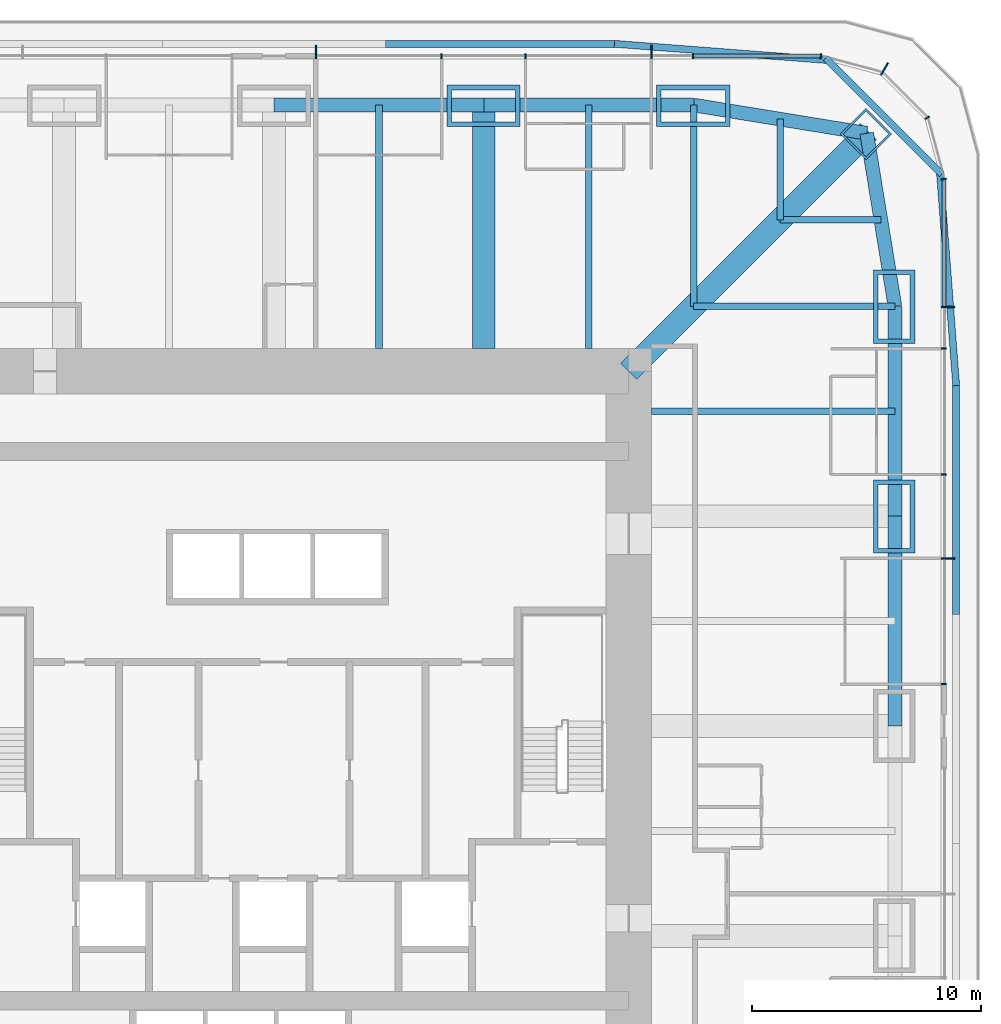
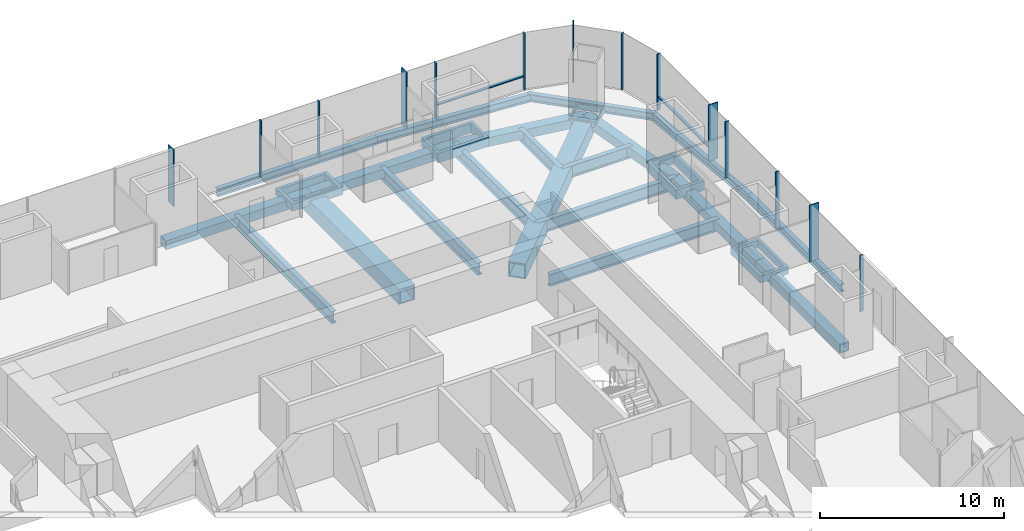
# One storey, part 8 of 16: 29 members, 12 beams, 3 elements without a shape of their own.
"""IFC4 building model written with IfcOpenShell, lengths in metres."""

import ifcopenshell
import ifcopenshell.guid

model = None  # the IFC model being written
_history = None  # IfcOwnerHistory: only IFC2X3 demands one
_inside = {}  # id of a spatial element -> (the spatial element, [elements in it])
_under = {}  # id of a project, library or spatial element -> (it, [spatial elements below it])
_declared = {}  # id of a project -> (the project, [libraries it declares])
_typed = {}  # id of a type object -> (the type object, [elements of that type])
_made_of = {}  # id of a material, layer set ... -> (it, [elements and type objects made of it])


def new_model(schema):
    """Start an empty IFC model of exactly this schema.

    Asked for "IFC4X3", IfcOpenShell would pick the latest addendum, in which some entities
    have other attributes; the version numbers below select the first issue.
    IFC2X3 requires an IfcOwnerHistory on every rooted entity: one is made here for all.
    """
    global model, _history
    if schema == "IFC4X3":
        model = ifcopenshell.file(schema_version=(4, 3, 0, 0))
    else:
        model = ifcopenshell.file(schema=schema)
    _inside.clear()
    _under.clear()
    _declared.clear()
    _typed.clear()
    _made_of.clear()
    _history = None
    if model.schema == "IFC2X3":
        org = make("IfcOrganization", Name="unknown")
        user = make(
            "IfcPersonAndOrganization",
            ThePerson=make("IfcPerson", FamilyName="unknown"),
            TheOrganization=org,
        )
        app = make(
            "IfcApplication",
            ApplicationDeveloper=org,
            Version="unknown",
            ApplicationFullName="unknown",
            ApplicationIdentifier="unknown",
        )
        _history = make(
            "IfcOwnerHistory",
            OwningUser=user,
            OwningApplication=app,
            ChangeAction="ADDED",
            CreationDate=0,
        )
    return model


def make(cls, **values):
    """One entity of the class cls with the attributes given. An attribute that is None is left unset."""
    return model.create_entity(
        cls, **{name: value for name, value in values.items() if value is not None}
    )


def rooted(cls, **values):
    """An entity with a GlobalId (a new one), such as an element, a storey or a relation."""
    return make(cls, GlobalId=ifcopenshell.guid.new(), OwnerHistory=_history, **values)


def si_unit(unit_type, name, prefix=None):
    """IfcSIUnit, for example si_unit("LENGTHUNIT", "METRE", prefix="MILLI")."""
    return make("IfcSIUnit", UnitType=unit_type, Prefix=prefix, Name=name)


def assignment(units):
    """IfcUnitAssignment: the units of a project."""
    return None if units is None else make("IfcUnitAssignment", Units=units)


def point(xyz):
    """IfcCartesianPoint."""
    return None if xyz is None else make("IfcCartesianPoint", Coordinates=xyz)


def direction(xyz):
    """IfcDirection."""
    return None if xyz is None else make("IfcDirection", DirectionRatios=xyz)


def frame(location, z_axis=None, x_axis=None):
    """IfcAxis2Placement3D, a coordinate frame: its origin and axes. An axis left out is left unset."""
    return make(
        "IfcAxis2Placement3D",
        Location=point(location),
        Axis=direction(z_axis),
        RefDirection=direction(x_axis),
    )


def frame_2d(location, x_axis=None):
    """IfcAxis2Placement2D, a coordinate frame in the plane: its origin and x axis."""
    return make(
        "IfcAxis2Placement2D", Location=point(location), RefDirection=direction(x_axis)
    )


def origin():
    """The frame at (0, 0, 0) with its axes left unset."""
    return frame((0.0, 0.0, 0.0))


def origin_2d():
    """The frame at (0, 0) in the plane with its x axis left unset."""
    return frame_2d((0.0, 0.0))


def place(relative_to, where):
    """IfcLocalPlacement: puts the frame where relative to a parent placement (None: the world)."""
    return make(
        "IfcLocalPlacement", PlacementRelTo=relative_to, RelativePlacement=where
    )


def context(
    kind, dimensions, precision=None, world=None, true_north=None, identifier=None
):
    """IfcGeometricRepresentationContext, for example the 3D "Model" context."""
    return make(
        "IfcGeometricRepresentationContext",
        ContextIdentifier=identifier,
        ContextType=kind,
        CoordinateSpaceDimension=dimensions,
        Precision=precision,
        WorldCoordinateSystem=world,
        TrueNorth=true_north,
    )


def subcontext(parent, identifier, kind, view, scale=None):
    """IfcGeometricRepresentationSubContext, for example "Body" below "Model"."""
    return make(
        "IfcGeometricRepresentationSubContext",
        ContextIdentifier=identifier,
        ContextType=kind,
        ParentContext=parent,
        TargetScale=scale,
        TargetView=view,
    )


def project(units=None, contexts=None):
    """IfcProject with its units and contexts."""
    return rooted(
        "IfcProject",
        Name="project",
        RepresentationContexts=contexts,
        UnitsInContext=assignment(units),
    )


def spatial(cls, under=None, at=None, **own):
    """A site, building, storey or space (cls), placed at a placement, below another one or the project."""
    s = rooted(cls, ObjectPlacement=at, **own)
    if under is not None:
        _under.setdefault(under.id(), (under, []))[1].append(s)
    return s


def profile(cls, at=None, kind="AREA", **sizes):
    """A parametric profile (cls). Its sizes go by their IFC names, for example OverallWidth=200.0."""
    return make(cls, ProfileType=kind, Position=at, **sizes)


def rectangle(**sizes):
    """IfcRectangleProfileDef."""
    return profile("IfcRectangleProfileDef", **sizes)


def hollow_rectangle(**sizes):
    """IfcRectangleHollowProfileDef."""
    return profile("IfcRectangleHollowProfileDef", **sizes)


def i_section(**sizes):
    """IfcIShapeProfileDef."""
    return profile("IfcIShapeProfileDef", **sizes)


def extrude(swept, where, along, depth):
    """IfcExtrudedAreaSolid: the profile swept, set in the frame where, extruded along a direction by depth."""
    return make(
        "IfcExtrudedAreaSolid",
        SweptArea=swept,
        Position=where,
        ExtrudedDirection=direction(along),
        Depth=depth,
    )


def shape(context_of_items, identifier, shape_type, items):
    """IfcShapeRepresentation: the items that make up one representation, for example the "Body"."""
    return make(
        "IfcShapeRepresentation",
        ContextOfItems=context_of_items,
        RepresentationIdentifier=identifier,
        RepresentationType=shape_type,
        Items=items,
    )


def material(Name=None, Category=None):
    """IfcMaterial."""
    return make("IfcMaterial", Name=Name, Category=Category)


def material_profile(
    of_material, cross_section, Name=None, Category=None, Priority=None
):
    """IfcMaterialProfile: a cross section and its material."""
    return make(
        "IfcMaterialProfile",
        Name=Name,
        Material=of_material,
        Profile=cross_section,
        Priority=Priority,
        Category=Category,
    )


def profile_set(profiles, Name=None, composite=None):
    """IfcMaterialProfileSet."""
    return make(
        "IfcMaterialProfileSet",
        Name=Name,
        MaterialProfiles=profiles,
        CompositeProfile=composite,
    )


def made_of(thing, what):
    """Note that an element or type object is made of a material, layer set ...; save() writes the relation."""
    if what is not None:
        _made_of.setdefault(what.id(), (what, []))[1].append(thing)
    return thing


def type_object(cls, material=None, **own):
    """A type object (cls), such as IfcWallType, which elements share."""
    return made_of(rooted(cls, **own), material)


def element(
    cls,
    number,
    at=None,
    inside=None,
    cuts=None,
    type_object=None,
    material=None,
    context=None,
    identifier="Body",
    shape_type=None,
    held_by="IfcProductDefinitionShape",
    body=None,
    shapes=None,
    **own,
):
    """One element of the class cls, such as IfcWall. Its Tag is "e" and its number.

    at: its placement. inside: the storey or other place that contains it. cuts: it is an
    opening in that element (IfcRelVoidsElement). A single representation is given by context,
    identifier, shape_type and body (its items); several are given by shapes. held_by: the class
    of the entity that holds the representations. save() writes the other relations.
    """
    e = rooted(cls, Tag="e%d" % number, ObjectPlacement=at, **own)
    if body is not None:
        shapes = [shape(context, identifier, shape_type, body)]
    if shapes is not None:
        e.Representation = make(held_by, Representations=shapes)
    if inside is not None:
        _inside.setdefault(inside.id(), (inside, []))[1].append(e)
    if cuts is not None:
        rooted(
            "IfcRelVoidsElement", RelatingBuildingElement=cuts, RelatedOpeningElement=e
        )
    if type_object is not None:
        _typed.setdefault(type_object.id(), (type_object, []))[1].append(e)
    return made_of(e, material)


def aggregate(whole, parts):
    """IfcRelAggregates: a whole, such as a stair, and the parts it consists of."""
    return rooted("IfcRelAggregates", RelatingObject=whole, RelatedObjects=parts)


def save(model, path):
    """Write the relations noted so far, then the file.

    IfcRelAggregates (storeys below a building ...), IfcRelContainedInSpatialStructure (elements
    in a storey), IfcRelDefinesByType, IfcRelAssociatesMaterial and IfcRelDeclares: one each for
    every whole, place, type object, material and project.
    """
    for whole, parts in _under.values():
        aggregate(whole, parts)
    for where, things in _inside.values():
        rooted(
            "IfcRelContainedInSpatialStructure",
            RelatedElements=things,
            RelatingStructure=where,
        )
    for kind, things in _typed.values():
        rooted("IfcRelDefinesByType", RelatedObjects=things, RelatingType=kind)
    for what, things in _made_of.values():
        rooted("IfcRelAssociatesMaterial", RelatedObjects=things, RelatingMaterial=what)
    for by, libraries in _declared.values():
        rooted("IfcRelDeclares", RelatingContext=by, RelatedDefinitions=libraries)
    model.write(path)


model = new_model("IFC4")

# Units and contexts
model_context = context("Model", 3, precision=1e-05, world=origin(), true_north=direction((0.0, 1.0)))
body_context = subcontext(model_context, "Body", "Model", "MODEL_VIEW")
ifc_project = project(units=[si_unit("LENGTHUNIT", "METRE"), si_unit("AREAUNIT", "SQUARE_METRE"), si_unit("VOLUMEUNIT", "CUBIC_METRE"), si_unit("PLANEANGLEUNIT", "RADIAN"), si_unit("MASSUNIT", "GRAM", prefix="KILO")], contexts=[model_context])

# Site, building, storey
site_placement = place(None, origin())
site = spatial("IfcSite", under=ifc_project, at=site_placement, CompositionType="ELEMENT")
building_placement = place(site_placement, origin())
building = spatial("IfcBuilding", under=site, at=building_placement, Name="Khuree Lantern Residences", CompositionType="ELEMENT")
storey_placement = place(building_placement, frame((0.0, 0.0, 107.25)))
storey = spatial("IfcBuildingStorey", under=building, at=storey_placement, Name="L26", CompositionType="ELEMENT", Elevation=107.25)

# Beams
ifc_material_1 = material(Name="Steel S355", Category="steel")
ifc_material_profile_1 = material_profile(ifc_material_1, i_section(OverallWidth=0.300048828125, OverallDepth=0.7900390625, WebThickness=0.014892578125, FlangeThickness=0.028076171875, FilletRadius=0.030029296875, at=origin_2d()), Name="HE 800 A")
ifc_profile_set_1 = profile_set([ifc_material_profile_1], Name="Steel S355")
beam_type_1 = type_object("IfcBeamType", Name="B-21 SECONDARY BEAM HE 800 A", PredefinedType="BEAM", material=ifc_profile_set_1)
for number, where, z_axis, x_axis, name in (
    (1, (4.585205078125, 27.1337890625, -0.64501953125), (0.0, -1.0, 0.0), (1.0, 0.0, 0.0), "Secondary beam N3"),
    (2, (13.755859375, 27.1337890625, -0.64501953125), (0.0, -1.0, 0.0), (1.0, 0.0, 0.0), "Secondary beam N4"),
):
    element("IfcBeam", number, at=place(storey_placement, frame(where, z_axis=z_axis, x_axis=x_axis)), inside=storey, type_object=beam_type_1, Name=name, PredefinedType="BEAM", context=body_context, shape_type="SweptSolid", body=[
        extrude(i_section(OverallWidth=0.300048828125, OverallDepth=0.7900390625, WebThickness=0.014892578125, FlangeThickness=0.028076171875, FilletRadius=0.030029296875, at=origin_2d()), origin(), (0.0, 0.0, 1.0), 10.6337890625),
    ])
for number, where, z_axis, x_axis, name in (
    (3, (22.12109375, 26.517578125, -0.64501953125), (0.0, -1.0, 0.0), (1.0, 0.0, 0.0), "Secondary beam N5"),
    (4, (26.517578125, 22.12109375, -0.64501953125), (-1.0, 0.0, 0.0), (0.0, -1.0, 0.0), "Secondary beam E1"),
):
    element("IfcBeam", number, at=place(storey_placement, frame(where, z_axis=z_axis, x_axis=x_axis)), inside=storey, type_object=beam_type_1, Name=name, PredefinedType="BEAM", context=body_context, shape_type="SweptSolid", body=[
        extrude(i_section(OverallWidth=0.300048828125, OverallDepth=0.7900390625, WebThickness=0.014892578125, FlangeThickness=0.028076171875, FilletRadius=0.030029296875, at=origin_2d()), origin(), (0.0, 0.0, 1.0), 4.396484375),
    ])
beam_1_placement = place(storey_placement, frame((27.1337890625, 13.755859375, -0.64501953125), z_axis=(-1.0, 0.0, 0.0), x_axis=(0.0, -1.0, 0.0)))
element("IfcBeam", 5, at=beam_1_placement, inside=storey, type_object=beam_type_1, Name="Secondary beam E2", PredefinedType="BEAM", context=body_context, shape_type="SweptSolid", body=[
    extrude(i_section(OverallWidth=0.300048828125, OverallDepth=0.7900390625, WebThickness=0.014892578125, FlangeThickness=0.028076171875, FilletRadius=0.030029296875, at=origin_2d()), origin(), (0.0, 0.0, 1.0), 10.6337890625),
])

# Members
ifc_material_profile_2 = material_profile(ifc_material_1, hollow_rectangle(XDim=0.60009765625, YDim=0.60009765625, WallThickness=0.050048828125, at=origin_2d()), Name="WELDED BOX 600X600X50")
ifc_profile_set_2 = profile_set([ifc_material_profile_2], Name="Steel S355")
member_type_1 = type_object("IfcMemberType", Name="BT-26 BELT TRUSS CHORD WELDED BOX 600X600X50", PredefinedType="CHORD", material=ifc_profile_set_2)
member_1_placement = place(storey_placement, frame((0.0, 27.1337890625, -0.550048828125), z_axis=(1.0, 0.0, 0.0), x_axis=(0.0, 1.0, 0.0)))
element("IfcMember", 6, at=member_1_placement, inside=storey, type_object=member_type_1, Name="Belt truss chord N3", PredefinedType="CHORD", context=body_context, shape_type="SweptSolid", body=[
    extrude(hollow_rectangle(XDim=0.60009765625, YDim=0.60009765625, WallThickness=0.050048828125, at=origin_2d()), origin(), (0.0, 0.0, 1.0), 9.17041015625),
])
member_2_placement = place(storey_placement, frame((9.17041015625, 27.1337890625, -0.550048828125), z_axis=(1.0, 0.0, 0.0), x_axis=(0.0, 1.0, 0.0)))
element("IfcMember", 7, at=member_2_placement, inside=storey, type_object=member_type_1, Name="Belt truss chord N4", PredefinedType="CHORD", context=body_context, shape_type="SweptSolid", body=[
    extrude(hollow_rectangle(XDim=0.60009765625, YDim=0.60009765625, WallThickness=0.050048828125, at=origin_2d()), origin(), (0.0, 0.0, 1.0), 9.170654296875),
])
for number, where, z_axis, x_axis, name in (
    (8, (18.341064453125, 27.1337890625, -0.550048828125), (0.986972570881, -0.160888608448, 0.0), (0.160888608448, 0.986972570881, 0.0), "Belt truss chord N5"),
    (9, (25.9013671875, 25.9013671875, -0.550048828125), (0.160888608448, -0.986972570881, 0.0), (0.986972570881, 0.160888608448, 0.0), "Belt truss chord E1"),
):
    element("IfcMember", number, at=place(storey_placement, frame(where, z_axis=z_axis, x_axis=x_axis)), inside=storey, type_object=member_type_1, Name=name, PredefinedType="CHORD", context=body_context, shape_type="SweptSolid", body=[
        extrude(hollow_rectangle(XDim=0.60009765625, YDim=0.60009765625, WallThickness=0.050048828125, at=origin_2d()), origin(), (0.0, 0.0, 1.0), 7.66015625),
    ])
member_3_placement = place(storey_placement, frame((27.1337890625, 18.341064453125, -0.550048828125), z_axis=(0.0, -1.0, 0.0), x_axis=(1.0, 0.0, 0.0)))
element("IfcMember", 10, at=member_3_placement, inside=storey, type_object=member_type_1, Name="Belt truss chord E2", PredefinedType="CHORD", context=body_context, shape_type="SweptSolid", body=[
    extrude(hollow_rectangle(XDim=0.60009765625, YDim=0.60009765625, WallThickness=0.050048828125, at=origin_2d()), origin(), (0.0, 0.0, 1.0), 9.170654296875),
])
member_4_placement = place(storey_placement, frame((27.1337890625, 9.17041015625, -0.550048828125), z_axis=(0.0, -1.0, 0.0), x_axis=(1.0, 0.0, 0.0)))
element("IfcMember", 11, at=member_4_placement, inside=storey, type_object=member_type_1, Name="Belt truss chord E3", PredefinedType="CHORD", context=body_context, shape_type="SweptSolid", body=[
    extrude(hollow_rectangle(XDim=0.60009765625, YDim=0.60009765625, WallThickness=0.050048828125, at=origin_2d()), origin(), (0.0, 0.0, 1.0), 9.17041015625),
])

# Curtain wall, members
ifc_material_2 = material(Name="Bronze anodised aluminium", Category="aluminium")
curtain_wall_type_1 = type_object("IfcCurtainWallType", Name="CW-T1 TOWER FACE CURTAIN WALL", PredefinedType="USERDEFINED", material=ifc_material_2)
curtain_wall_1_placement = place(storey_placement, origin())
curtain_wall_1 = element("IfcCurtainWall", 12, at=curtain_wall_1_placement, inside=storey, type_object=curtain_wall_type_1, Name="L26 EAST FACE CURTAIN WALL", ObjectType="Stick-built curtain wall", PredefinedType="USERDEFINED")
ifc_material_profile_3 = material_profile(ifc_material_2, rectangle(XDim=0.06494140625, YDim=0.60009765625, at=origin_2d()), Name="F1 65X600")
ifc_profile_set_3 = profile_set([ifc_material_profile_3], Name="Bronze anodised aluminium")
member_type_2 = type_object("IfcMemberType", Name="F1 BRONZE FIN MULLION TOWER 65X600", PredefinedType="MULLION", material=ifc_profile_set_3)
member_5_placement = place(storey_placement, frame((29.449951171875, 7.327880859375, 0.0), z_axis=(0.0, 0.0, 1.0), x_axis=(0.0, 1.0, 0.0)))
member_5 = element("IfcMember", 13, at=member_5_placement, type_object=member_type_2, Name="L26 EAST FACE FIN MULLION 11", PredefinedType="MULLION", context=body_context, shape_type="SweptSolid", body=[
    extrude(rectangle(XDim=0.06494140625, YDim=0.60009765625, at=origin_2d()), origin(), (0.0, 0.0, 1.0), 3.75),
])
member_6_placement = place(storey_placement, frame((29.449951171875, 18.320068359375, 0.0), z_axis=(0.0, 0.0, 1.0), x_axis=(0.0, 1.0, 0.0)))
member_6 = element("IfcMember", 14, at=member_6_placement, type_object=member_type_2, Name="L26 EAST FACE FIN MULLION 14", PredefinedType="MULLION", context=body_context, shape_type="SweptSolid", body=[
    extrude(rectangle(XDim=0.06494140625, YDim=0.60009765625, at=origin_2d()), origin(), (0.0, 0.0, 1.0), 3.75),
])

# Curtain wall, member
curtain_wall_type_2 = type_object("IfcCurtainWallType", Name="CW-T2 TOWER CORNER CURTAIN WALL", PredefinedType="USERDEFINED", material=ifc_material_2)
curtain_wall_2_placement = place(storey_placement, origin())
curtain_wall_2 = element("IfcCurtainWall", 15, at=curtain_wall_2_placement, inside=storey, type_object=curtain_wall_type_2, Name="L26 NORTH-EAST CORNER CURTAIN WALL", ObjectType="Faceted corner curtain wall", PredefinedType="USERDEFINED")
member_7_placement = place(storey_placement, frame((26.675048828125, 28.70654296875, 0.0), z_axis=(0.0, 0.0, 1.0), x_axis=(-0.866025388199, 0.500000026995, 0.0)))
member_7 = element("IfcMember", 16, at=member_7_placement, type_object=member_type_2, Name="L26 NORTH-EAST CORNER FIN MULLION 17", PredefinedType="MULLION", context=body_context, shape_type="SweptSolid", body=[
    extrude(rectangle(XDim=0.06494140625, YDim=0.60009765625, at=origin_2d()), origin(), (0.0, 0.0, 1.0), 3.75),
])

# Curtain wall, members
curtain_wall_3_placement = place(storey_placement, origin())
curtain_wall_3 = element("IfcCurtainWall", 17, at=curtain_wall_3_placement, inside=storey, type_object=curtain_wall_type_1, Name="L26 NORTH FACE CURTAIN WALL", ObjectType="Stick-built curtain wall", PredefinedType="USERDEFINED")
member_8_placement = place(storey_placement, frame((16.488037109375, 29.449951171875, 0.0), z_axis=(0.0, 0.0, 1.0), x_axis=(-1.0, 0.0, 0.0)))
member_8 = element("IfcMember", 18, at=member_8_placement, type_object=member_type_2, Name="L26 NORTH FACE FIN MULLION 20", PredefinedType="MULLION", context=body_context, shape_type="SweptSolid", body=[
    extrude(rectangle(XDim=0.06494140625, YDim=0.60009765625, at=origin_2d()), origin(), (0.0, 0.0, 1.0), 3.75),
])
member_9_placement = place(storey_placement, frame((1.83203125, 29.449951171875, 0.0), z_axis=(0.0, 0.0, 1.0), x_axis=(-1.0, 0.0, 0.0)))
member_9 = element("IfcMember", 19, at=member_9_placement, type_object=member_type_2, Name="L26 NORTH FACE FIN MULLION 23", PredefinedType="MULLION", context=body_context, shape_type="SweptSolid", body=[
    extrude(rectangle(XDim=0.06494140625, YDim=0.60009765625, at=origin_2d()), origin(), (0.0, 0.0, 1.0), 3.75),
])

# Beams
ifc_material_profile_4 = material_profile(ifc_material_1, i_section(OverallWidth=0.300048828125, OverallDepth=0.800048828125, WebThickness=0.017578125, FlangeThickness=0.032958984375, FilletRadius=0.030029296875, at=origin_2d()), Name="HE 800 B")
ifc_profile_set_4 = profile_set([ifc_material_profile_4], Name="Steel S355")
beam_type_2 = type_object("IfcBeamType", Name="G-21 GIRDER HE 800 B", PredefinedType="BEAM", material=ifc_profile_set_4)
for number, where, z_axis, x_axis, name in (
    (20, (18.342041015625, 27.135498046875, -0.64990234375), (0.0, -1.0, 0.0), (1.0, 0.0, 0.0), "Girder N5"),
    (21, (27.135498046875, 18.342041015625, -0.64990234375), (-1.0, 0.0, 0.0), (0.0, -1.0, 0.0), "Girder E1"),
):
    element("IfcBeam", number, at=place(storey_placement, frame(where, z_axis=z_axis, x_axis=x_axis)), inside=storey, type_object=beam_type_2, Name=name, PredefinedType="BEAM", context=body_context, shape_type="SweptSolid", body=[
        extrude(i_section(OverallWidth=0.300048828125, OverallDepth=0.800048828125, WebThickness=0.017578125, FlangeThickness=0.032958984375, FilletRadius=0.030029296875, at=origin_2d()), origin(), (0.0, 0.0, 1.0), 8.79345703125),
    ])

# Member
ifc_material_profile_5 = material_profile(ifc_material_2, rectangle(XDim=0.06494140625, YDim=0.219970703125, at=origin_2d()), Name="M1 65X220")
ifc_profile_set_5 = profile_set([ifc_material_profile_5], Name="Bronze anodised aluminium")
member_type_3 = type_object("IfcMemberType", Name="M1 BRONZE MULLION TOWER 65X220", PredefinedType="MULLION", material=ifc_profile_set_5)
member_10_placement = place(storey_placement, frame((29.260009765625, 1.83203125, 0.0), z_axis=(0.0, 0.0, 1.0), x_axis=(0.0, 1.0, 0.0)))
member_10 = element("IfcMember", 22, at=member_10_placement, type_object=member_type_3, Name="L26 EAST FACE MULLION 10", PredefinedType="MULLION", context=body_context, shape_type="SweptSolid", body=[
    extrude(rectangle(XDim=0.06494140625, YDim=0.219970703125, at=origin_2d()), origin(), (0.0, 0.0, 1.0), 3.75),
])

member_11_placement = place(storey_placement, frame((29.260009765625, 10.991943359375, 0.0), z_axis=(0.0, 0.0, 1.0), x_axis=(0.0, 1.0, 0.0)))
member_11 = element("IfcMember", 23, at=member_11_placement, type_object=member_type_3, Name="L26 EAST FACE MULLION 12", PredefinedType="MULLION", context=body_context, shape_type="SweptSolid", body=[
    extrude(rectangle(XDim=0.06494140625, YDim=0.219970703125, at=origin_2d()), origin(), (0.0, 0.0, 1.0), 3.75),
])

member_12_placement = place(storey_placement, frame((29.260009765625, 16.488037109375, 0.0), z_axis=(0.0, 0.0, 1.0), x_axis=(0.0, 1.0, 0.0)))
member_12 = element("IfcMember", 24, at=member_12_placement, type_object=member_type_3, Name="L26 EAST FACE MULLION 13", PredefinedType="MULLION", context=body_context, shape_type="SweptSolid", body=[
    extrude(rectangle(XDim=0.06494140625, YDim=0.219970703125, at=origin_2d()), origin(), (0.0, 0.0, 1.0), 3.75),
])

member_13_placement = place(storey_placement, frame((29.26171875, 23.89501953125, 0.0), z_axis=(0.0, 0.0, 1.0), x_axis=(-0.130526223125, 0.991444857305, 0.0)))
member_13 = element("IfcMember", 25, at=member_13_placement, type_object=member_type_3, Name="L26 NORTH-EAST CORNER MULLION 15", PredefinedType="MULLION", context=body_context, shape_type="SweptSolid", body=[
    extrude(rectangle(XDim=0.06494140625, YDim=0.219970703125, at=origin_2d()), origin(), (0.0, 0.0, 1.0), 3.75),
])

member_14_placement = place(storey_placement, frame((28.5419921875, 26.580078125, 0.0), z_axis=(0.0, 0.0, 1.0), x_axis=(-0.500000026995, 0.866025388199, 0.0)))
member_14 = element("IfcMember", 26, at=member_14_placement, type_object=member_type_3, Name="L26 NORTH-EAST CORNER MULLION 16", PredefinedType="MULLION", context=body_context, shape_type="SweptSolid", body=[
    extrude(rectangle(XDim=0.06494140625, YDim=0.219970703125, at=origin_2d()), origin(), (0.0, 0.0, 1.0), 3.75),
])

aggregate(curtain_wall_2, [member_13, member_14, member_7])

member_15_placement = place(storey_placement, frame((23.89501953125, 29.26171875, 0.0), z_axis=(0.0, 0.0, 1.0), x_axis=(-0.991444857305, 0.130526223125, 0.0)))
member_15 = element("IfcMember", 27, at=member_15_placement, type_object=member_type_3, Name="L26 NORTH FACE MULLION 18", PredefinedType="MULLION", context=body_context, shape_type="SweptSolid", body=[
    extrude(rectangle(XDim=0.06494140625, YDim=0.219970703125, at=origin_2d()), origin(), (0.0, 0.0, 1.0), 3.75),
])

member_16_placement = place(storey_placement, frame((18.320068359375, 29.260009765625, 0.0), z_axis=(0.0, 0.0, 1.0), x_axis=(-1.0, 0.0, 0.0)))
member_16 = element("IfcMember", 28, at=member_16_placement, type_object=member_type_3, Name="L26 NORTH FACE MULLION 19", PredefinedType="MULLION", context=body_context, shape_type="SweptSolid", body=[
    extrude(rectangle(XDim=0.06494140625, YDim=0.219970703125, at=origin_2d()), origin(), (0.0, 0.0, 1.0), 3.75),
])

member_17_placement = place(storey_placement, frame((10.991943359375, 29.260009765625, 0.0), z_axis=(0.0, 0.0, 1.0), x_axis=(-1.0, 0.0, 0.0)))
member_17 = element("IfcMember", 29, at=member_17_placement, type_object=member_type_3, Name="L26 NORTH FACE MULLION 21", PredefinedType="MULLION", context=body_context, shape_type="SweptSolid", body=[
    extrude(rectangle(XDim=0.06494140625, YDim=0.219970703125, at=origin_2d()), origin(), (0.0, 0.0, 1.0), 3.75),
])

member_18_placement = place(storey_placement, frame((7.327880859375, 29.260009765625, 0.0), z_axis=(0.0, 0.0, 1.0), x_axis=(-1.0, 0.0, 0.0)))
member_18 = element("IfcMember", 30, at=member_18_placement, type_object=member_type_3, Name="L26 NORTH FACE MULLION 22", PredefinedType="MULLION", context=body_context, shape_type="SweptSolid", body=[
    extrude(rectangle(XDim=0.06494140625, YDim=0.219970703125, at=origin_2d()), origin(), (0.0, 0.0, 1.0), 3.75),
])

# Members
ifc_material_3 = material(Name="Steel S355 CFT welded box", Category="steel")
ifc_material_profile_6 = material_profile(ifc_material_3, hollow_rectangle(XDim=3.199951171875, YDim=1.800048828125, WallThickness=0.199951171875, at=origin_2d()), Name="WELDED BOX 3200X1800X200")
ifc_profile_set_6 = profile_set([ifc_material_profile_6], Name="Steel S355 CFT welded box")
member_type_4 = type_object("IfcMemberType", Name="MN MEGA COLUMN NODE WELDED BOX 3200X1800X200", PredefinedType="MEMBER", material=ifc_profile_set_6)
member_19_placement = place(storey_placement, frame((9.159912109375, 27.10009765625, -0.550048828125), z_axis=(0.0, 0.0, 1.0), x_axis=(1.0, 0.0, 0.0)))
element("IfcMember", 31, at=member_19_placement, inside=storey, type_object=member_type_4, Name="Mega column node N4", PredefinedType="MEMBER", context=body_context, shape_type="SweptSolid", body=[
    extrude(hollow_rectangle(XDim=3.199951171875, YDim=1.800048828125, WallThickness=0.199951171875, at=origin_2d()), origin(), (0.0, 0.0, 1.0), 0.47998046875),
])
for number, where, z_axis, x_axis, name in (
    (32, (18.320068359375, 27.10009765625, -0.550048828125), (0.0, 0.0, 1.0), (1.0, 0.0, 0.0), "Mega column node N5"),
    (33, (27.10009765625, 18.320068359375, -0.550048828125), (0.0, 0.0, 1.0), (0.0, 1.0, 0.0), "Mega column node E1"),
):
    element("IfcMember", number, at=place(storey_placement, frame(where, z_axis=z_axis, x_axis=x_axis)), inside=storey, type_object=member_type_4, Name=name, PredefinedType="MEMBER", context=body_context, shape_type="SweptSolid", body=[
        extrude(hollow_rectangle(XDim=3.199951171875, YDim=1.800048828125, WallThickness=0.199951171875, at=origin_2d()), origin(), (0.0, 0.0, 1.0), 0.630126953125),
    ])
member_20_placement = place(storey_placement, frame((27.10009765625, 9.159912109375, -0.550048828125), z_axis=(0.0, 0.0, 1.0), x_axis=(0.0, 1.0, 0.0)))
element("IfcMember", 34, at=member_20_placement, inside=storey, type_object=member_type_4, Name="Mega column node E2", PredefinedType="MEMBER", context=body_context, shape_type="SweptSolid", body=[
    extrude(hollow_rectangle(XDim=3.199951171875, YDim=1.800048828125, WallThickness=0.199951171875, at=origin_2d()), origin(), (0.0, 0.0, 1.0), 0.47998046875),
])
ifc_material_profile_7 = material_profile(ifc_material_3, hollow_rectangle(XDim=1.60009765625, YDim=1.60009765625, WallThickness=0.10009765625, at=origin_2d()), Name="WELDED BOX 1600X1600X100")
ifc_profile_set_7 = profile_set([ifc_material_profile_7], Name="Steel S355 CFT welded box")
member_type_5 = type_object("IfcMemberType", Name="MNA MEGA COLUMN NODE WELDED BOX 1600X1600X100", PredefinedType="MEMBER", material=ifc_profile_set_7)
member_21_placement = place(storey_placement, frame((25.869873046875, 25.869873046875, -0.550048828125), z_axis=(0.0, 0.0, 1.0), x_axis=(0.707106781187, -0.707106781187, 0.0)))
element("IfcMember", 35, at=member_21_placement, inside=storey, type_object=member_type_5, Name="Mega column node NE", PredefinedType="MEMBER", context=body_context, shape_type="SweptSolid", body=[
    extrude(hollow_rectangle(XDim=1.60009765625, YDim=1.60009765625, WallThickness=0.10009765625, at=origin_2d()), origin(), (0.0, 0.0, 1.0), 0.360107421875),
])
ifc_material_profile_8 = material_profile(ifc_material_1, hollow_rectangle(XDim=1.0, YDim=1.0, WallThickness=0.080078125, at=origin_2d()), Name="WELDED BOX 1000X1000X80")
ifc_profile_set_8 = profile_set([ifc_material_profile_8], Name="Steel S355")
member_type_6 = type_object("IfcMemberType", Name="OT-26 OUTRIGGER TRUSS CHORD WELDED BOX 1000X1000X80", PredefinedType="CHORD", material=ifc_profile_set_8)
member_22_placement = place(storey_placement, frame((9.171142578125, 27.135498046875, -0.75), z_axis=(0.0, -1.0, 0.0), x_axis=(1.0, 0.0, 0.0)))
element("IfcMember", 36, at=member_22_placement, inside=storey, type_object=member_type_6, Name="Outrigger chord N4", PredefinedType="CHORD", context=body_context, shape_type="SweptSolid", body=[
    extrude(hollow_rectangle(XDim=1.0, YDim=1.0, WallThickness=0.080078125, at=origin_2d()), origin(), (0.0, 0.0, 1.0), 10.635498046875),
])
member_23_placement = place(storey_placement, frame((25.969482421875, 25.969482421875, -0.75), z_axis=(-0.707106781187, -0.707106781187, 0.0), x_axis=(0.707106781187, -0.707106781187, 0.0)))
element("IfcMember", 37, at=member_23_placement, inside=storey, type_object=member_type_6, Name="Outrigger chord NE", PredefinedType="CHORD", context=body_context, shape_type="SweptSolid", body=[
    extrude(hollow_rectangle(XDim=1.0, YDim=1.0, WallThickness=0.080078125, at=origin_2d()), origin(), (0.0, 0.0, 1.0), 14.80615234375),
])

# Beams
ifc_material_profile_9 = material_profile(ifc_material_1, i_section(OverallWidth=0.300048828125, OverallDepth=0.5, WebThickness=0.014404296875, FlangeThickness=0.028076171875, FilletRadius=0.027099609375, at=origin_2d()), Name="HE 500 B")
ifc_profile_set_9 = profile_set([ifc_material_profile_9], Name="Steel S355")
beam_type_3 = type_object("IfcBeamType", Name="TB1 TERRACE EDGE BEAM HE 500 B", PredefinedType="BEAM", material=ifc_profile_set_9)
beam_2_placement = place(storey_placement, frame((4.875, 29.800048828125, -0.5), z_axis=(1.0, 0.0, 0.0), x_axis=(0.0, 1.0, 0.0)))
element("IfcBeam", 38, at=beam_2_placement, inside=storey, type_object=beam_type_3, Name="Terrace edge beam N3", PredefinedType="BEAM", context=body_context, shape_type="SweptSolid", body=[
    extrude(i_section(OverallWidth=0.300048828125, OverallDepth=0.5, WebThickness=0.014404296875, FlangeThickness=0.028076171875, FilletRadius=0.027099609375, at=origin_2d()), origin(), (0.0, 0.0, 1.0), 10.25),
])
beam_3_placement = place(storey_placement, frame((14.875244140625, 29.8095703125, -0.5), z_axis=(0.997090602838, -0.07622551891, 0.0), x_axis=(0.07622551891, 0.997090602838, 0.0)))
element("IfcBeam", 39, at=beam_3_placement, inside=storey, type_object=beam_type_3, Name="Terrace edge beam N4", PredefinedType="BEAM", context=body_context, shape_type="SweptSolid", body=[
    extrude(i_section(OverallWidth=0.300048828125, OverallDepth=0.5, WebThickness=0.014404296875, FlangeThickness=0.028076171875, FilletRadius=0.027099609375, at=origin_2d()), origin(), (0.0, 0.0, 1.0), 9.47412109375),
])
beam_4_placement = place(storey_placement, frame((24.108642578125, 29.185546875, -0.5), z_axis=(0.707106781187, -0.707106781187, 0.0), x_axis=(0.707106781187, 0.707106781187, 0.0)))
element("IfcBeam", 40, at=beam_4_placement, inside=storey, type_object=beam_type_3, Name="Terrace edge beam N5", PredefinedType="BEAM", context=body_context, shape_type="SweptSolid", body=[
    extrude(i_section(OverallWidth=0.300048828125, OverallDepth=0.5, WebThickness=0.014404296875, FlangeThickness=0.028076171875, FilletRadius=0.027099609375, at=origin_2d()), origin(), (0.0, 0.0, 1.0), 7.179931640625),
])
beam_5_placement = place(storey_placement, frame((29.08740234375, 24.32177734375, -0.5), z_axis=(0.07622551891, -0.997090602838, 0.0), x_axis=(0.997090602838, 0.07622551891, 0.0)))
element("IfcBeam", 41, at=beam_5_placement, inside=storey, type_object=beam_type_3, Name="Terrace edge beam E1", PredefinedType="BEAM", context=body_context, shape_type="SweptSolid", body=[
    extrude(i_section(OverallWidth=0.300048828125, OverallDepth=0.5, WebThickness=0.014404296875, FlangeThickness=0.028076171875, FilletRadius=0.027099609375, at=origin_2d()), origin(), (0.0, 0.0, 1.0), 9.47412109375),
])
beam_6_placement = place(storey_placement, frame((29.800048828125, 15.125, -0.5), z_axis=(0.0, -1.0, 0.0), x_axis=(1.0, 0.0, 0.0)))
element("IfcBeam", 42, at=beam_6_placement, inside=storey, type_object=beam_type_3, Name="Terrace edge beam E2", PredefinedType="BEAM", context=body_context, shape_type="SweptSolid", body=[
    extrude(i_section(OverallWidth=0.300048828125, OverallDepth=0.5, WebThickness=0.014404296875, FlangeThickness=0.028076171875, FilletRadius=0.027099609375, at=origin_2d()), origin(), (0.0, 0.0, 1.0), 10.25),
])

# Member
ifc_material_profile_10 = material_profile(ifc_material_2, rectangle(XDim=0.179931640625, YDim=0.06494140625, at=origin_2d()), Name="T1 180X65")
ifc_profile_set_10 = profile_set([ifc_material_profile_10], Name="Bronze anodised aluminium")
member_type_7 = type_object("IfcMemberType", Name="TRANSOM T1 TOWER 180X65", PredefinedType="USERDEFINED", material=ifc_profile_set_10)
member_24_placement = place(storey_placement, frame((29.27001953125, 18.3525390625, 0.89990234375), z_axis=(0.0, 1.0, 0.0), x_axis=(-1.0, 0.0, 0.0)))
member_24 = element("IfcMember", 43, at=member_24_placement, type_object=member_type_7, Name="L26 EAST FACE TRANSOM 14.1", ObjectType="Transom", PredefinedType="USERDEFINED", context=body_context, shape_type="SweptSolid", body=[
    extrude(rectangle(XDim=0.179931640625, YDim=0.06494140625, at=origin_2d()), origin(), (0.0, 0.0, 1.0), 5.498779296875),
])

aggregate(curtain_wall_1, [member_10, member_5, member_11, member_12, member_6, member_24])

member_25_placement = place(storey_placement, frame((23.851318359375, 29.27001953125, 0.89990234375), z_axis=(-1.0, 0.0, 0.0), x_axis=(0.0, -1.0, 0.0)))
member_25 = element("IfcMember", 44, at=member_25_placement, type_object=member_type_7, Name="L26 NORTH FACE TRANSOM 18.1", ObjectType="Transom", PredefinedType="USERDEFINED", context=body_context, shape_type="SweptSolid", body=[
    extrude(rectangle(XDim=0.179931640625, YDim=0.06494140625, at=origin_2d()), origin(), (0.0, 0.0, 1.0), 5.498779296875),
])

aggregate(curtain_wall_3, [member_15, member_16, member_8, member_17, member_18, member_9, member_25])

save(model, "model.ifc")
